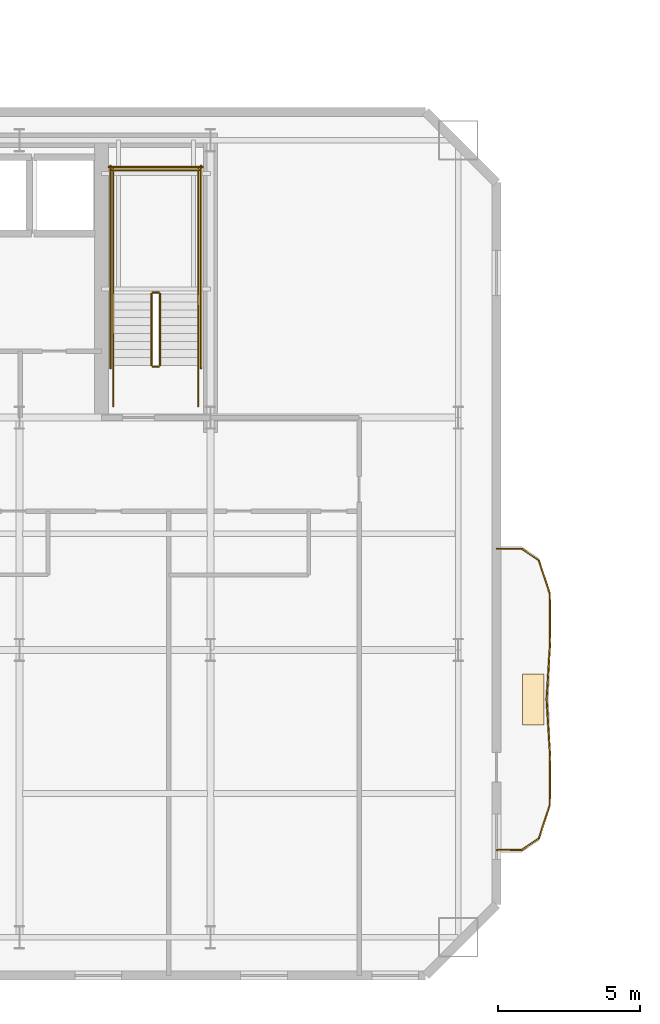
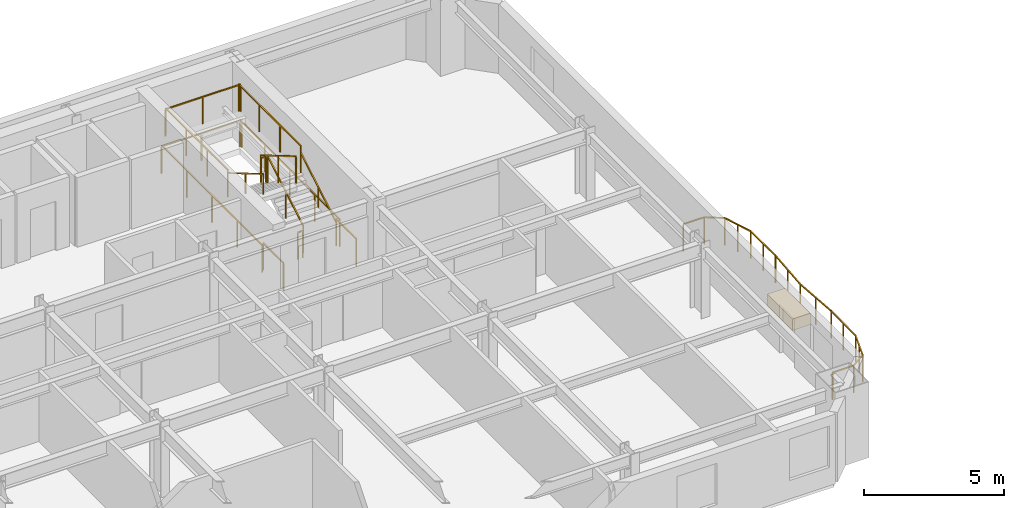
# One storey, part 11 of 13: 24 railings, 1 covering.
"""IFC4 building model written with IfcOpenShell, lengths in metres."""

from ifc_helpers import new_model, si_unit, direction, frame, origin, origin_2d, place, context, subcontext, project, spatial, rectangle, extrude, material, layer, layer_set, type_object, element, save


model = new_model("IFC4")

# Units and contexts
model_context = context("Model", 3, precision=1e-05, world=origin(), true_north=direction((0.0, 1.0)))
body_context = subcontext(model_context, "Body", "Model", "MODEL_VIEW")
ifc_project = project(units=[si_unit("LENGTHUNIT", "METRE"), si_unit("AREAUNIT", "SQUARE_METRE"), si_unit("VOLUMEUNIT", "CUBIC_METRE"), si_unit("PLANEANGLEUNIT", "RADIAN"), si_unit("MASSUNIT", "GRAM", prefix="KILO")], contexts=[model_context])

# Site, building, storey
site_placement = place(None, origin())
site = spatial("IfcSite", under=ifc_project, at=site_placement, CompositionType="ELEMENT")
building_placement = place(site_placement, origin())
building = spatial("IfcBuilding", under=site, at=building_placement, Name="Haevon Station Towers", CompositionType="ELEMENT")
storey_placement = place(building_placement, frame((0.0, 0.0, 99.89990234375)))
storey = spatial("IfcBuildingStorey", under=building, at=storey_placement, Name="L26", CompositionType="ELEMENT", Elevation=99.89990234375)

# Railings
ifc_material_1 = material(Name="Steel S355", Category="steel")
railing_type_1 = type_object("IfcRailingType", Name="GRD-EXT1200", PredefinedType="GUARDRAIL", material=ifc_material_1)
railing_1_placement = place(storey_placement, frame((61.12353515625, 22.927734375, 0.0)))
element("IfcRailing", 1, at=railing_1_placement, inside=storey, type_object=railing_type_1, Name="L26 Perimeter Guardrail 1", PredefinedType="GUARDRAIL", context=body_context, shape_type="SweptSolid", body=[
    extrude(rectangle(XDim=0.048095703125, YDim=0.048095703125, at=origin_2d()), frame((0.0, 0.0, 1.17578125), z_axis=(0.99999747791, 0.002245923589, 0.0), x_axis=(-0.002245923589, 0.99999747791, 0.0)), (0.0, 0.0, 1.0), 0.86962890625),
    extrude(rectangle(XDim=0.0419921875, YDim=0.0419921875, at=origin_2d()), origin(), (0.0, 0.0, 1.0), 1.15185546875),
    extrude(rectangle(XDim=0.0419921875, YDim=0.0419921875, at=origin_2d()), frame((0.86962890625, 0.001953125, 0.0)), (0.0, 0.0, 1.0), 1.15185546875),
])
railing_2_placement = place(storey_placement, frame((61.9931640625, 22.9296875, 0.0)))
element("IfcRailing", 2, at=railing_2_placement, inside=storey, type_object=railing_type_1, Name="L26 Perimeter Guardrail 2", PredefinedType="GUARDRAIL", context=body_context, shape_type="SweptSolid", body=[
    extrude(rectangle(XDim=0.048095703125, YDim=0.048095703125, at=origin_2d()), frame((0.0, 0.0, 1.17578125), z_axis=(0.827878799477, 0.56090702739, 0.0), x_axis=(-0.56090702739, 0.827878799477, 0.0)), (0.0, 0.0, 1.0), 0.7333984375),
    extrude(rectangle(XDim=0.0419921875, YDim=0.0419921875, at=origin_2d()), origin(), (0.0, 0.0, 1.0), 1.15185546875),
    extrude(rectangle(XDim=0.0419921875, YDim=0.0419921875, at=origin_2d()), frame((0.607177734375, 0.411376953125, 0.0)), (0.0, 0.0, 1.0), 1.15185546875),
])
railing_3_placement = place(storey_placement, frame((62.600341796875, 23.341064453125, 0.0)))
element("IfcRailing", 3, at=railing_3_placement, inside=storey, type_object=railing_type_1, Name="L26 Perimeter Guardrail 3", PredefinedType="GUARDRAIL", context=body_context, shape_type="SweptSolid", body=[
    extrude(rectangle(XDim=0.048095703125, YDim=0.048095703125, at=origin_2d()), frame((0.0, 0.0, 1.17578125), z_axis=(0.312299013333, 0.949983855795, 0.0), x_axis=(-0.949983855795, 0.312299013333, 0.0)), (0.0, 0.0, 1.0), 1.231201171875),
    extrude(rectangle(XDim=0.0419921875, YDim=0.0419921875, at=origin_2d()), origin(), (0.0, 0.0, 1.0), 1.15185546875),
    extrude(rectangle(XDim=0.0419921875, YDim=0.0419921875, at=origin_2d()), frame((0.1923828125, 0.5849609375, 0.0)), (0.0, 0.0, 1.0), 1.15185546875),
    extrude(rectangle(XDim=0.0419921875, YDim=0.0419921875, at=origin_2d()), frame((0.384521484375, 1.169677734375, 0.0)), (0.0, 0.0, 1.0), 1.15185546875),
])
railing_4_placement = place(storey_placement, frame((62.98486328125, 24.5107421875, 0.0)))
element("IfcRailing", 4, at=railing_4_placement, inside=storey, type_object=railing_type_1, Name="L26 Perimeter Guardrail 4", PredefinedType="GUARDRAIL", context=body_context, shape_type="SweptSolid", body=[
    extrude(rectangle(XDim=0.048095703125, YDim=0.048095703125, at=origin_2d()), frame((0.0, 0.0, 1.17578125), z_axis=(0.006559523914, 0.999978486092, 0.0), x_axis=(-0.999978486092, 0.006559523914, 0.0)), (0.0, 0.0, 1.0), 1.749267578125),
    extrude(rectangle(XDim=0.0419921875, YDim=0.0419921875, at=origin_2d()), origin(), (0.0, 0.0, 1.0), 1.15185546875),
    extrude(rectangle(XDim=0.0419921875, YDim=0.0419921875, at=origin_2d()), frame((0.005859375, 0.87451171875, 0.0)), (0.0, 0.0, 1.0), 1.15185546875),
    extrude(rectangle(XDim=0.0419921875, YDim=0.0419921875, at=origin_2d()), frame((0.011474609375, 1.749267578125, 0.0)), (0.0, 0.0, 1.0), 1.15185546875),
])
railing_5_placement = place(storey_placement, frame((62.996337890625, 26.260009765625, 0.0)))
element("IfcRailing", 5, at=railing_5_placement, inside=storey, type_object=railing_type_1, Name="L26 Perimeter Guardrail 5", PredefinedType="GUARDRAIL", context=body_context, shape_type="SweptSolid", body=[
    extrude(rectangle(XDim=0.048095703125, YDim=0.048095703125, at=origin_2d()), frame((0.0, 0.0, 1.17578125), z_axis=(-0.06269082246, 0.998032995837, 0.0), x_axis=(-0.998032995837, -0.06269082246, 0.0)), (0.0, 0.0, 1.0), 1.993896484375),
    extrude(rectangle(XDim=0.0419921875, YDim=0.0419921875, at=origin_2d()), origin(), (0.0, 0.0, 1.0), 1.15185546875),
    extrude(rectangle(XDim=0.0419921875, YDim=0.0419921875, at=origin_2d()), frame((-0.0625, 0.9951171875, 0.0)), (0.0, 0.0, 1.0), 1.15185546875),
    extrude(rectangle(XDim=0.0419921875, YDim=0.0419921875, at=origin_2d()), frame((-0.125, 1.989990234375, 0.0)), (0.0, 0.0, 1.0), 1.15185546875),
])
railing_6_placement = place(storey_placement, frame((62.871337890625, 28.25, 0.0)))
element("IfcRailing", 6, at=railing_6_placement, inside=storey, type_object=railing_type_1, Name="L26 Perimeter Guardrail 6", PredefinedType="GUARDRAIL", context=body_context, shape_type="SweptSolid", body=[
    extrude(rectangle(XDim=0.048095703125, YDim=0.048095703125, at=origin_2d()), frame((0.0, 0.0, 1.17578125), z_axis=(0.06269082246, 0.998032995837, 0.0), x_axis=(-0.998032995837, 0.06269082246, 0.0)), (0.0, 0.0, 1.0), 1.993896484375),
    extrude(rectangle(XDim=0.0419921875, YDim=0.0419921875, at=origin_2d()), origin(), (0.0, 0.0, 1.0), 1.15185546875),
    extrude(rectangle(XDim=0.0419921875, YDim=0.0419921875, at=origin_2d()), frame((0.0625, 0.9951171875, 0.0)), (0.0, 0.0, 1.0), 1.15185546875),
    extrude(rectangle(XDim=0.0419921875, YDim=0.0419921875, at=origin_2d()), frame((0.125, 1.989990234375, 0.0)), (0.0, 0.0, 1.0), 1.15185546875),
])
railing_7_placement = place(storey_placement, frame((62.996337890625, 30.239990234375, 0.0)))
element("IfcRailing", 7, at=railing_7_placement, inside=storey, type_object=railing_type_1, Name="L26 Perimeter Guardrail 7", PredefinedType="GUARDRAIL", context=body_context, shape_type="SweptSolid", body=[
    extrude(rectangle(XDim=0.048095703125, YDim=0.048095703125, at=origin_2d()), frame((0.0, 0.0, 1.17578125), z_axis=(-0.006559523914, 0.999978486092, 0.0), x_axis=(-0.999978486092, -0.006559523914, 0.0)), (0.0, 0.0, 1.0), 1.749267578125),
    extrude(rectangle(XDim=0.0419921875, YDim=0.0419921875, at=origin_2d()), origin(), (0.0, 0.0, 1.0), 1.15185546875),
    extrude(rectangle(XDim=0.0419921875, YDim=0.0419921875, at=origin_2d()), frame((-0.005859375, 0.87451171875, 0.0)), (0.0, 0.0, 1.0), 1.15185546875),
    extrude(rectangle(XDim=0.0419921875, YDim=0.0419921875, at=origin_2d()), frame((-0.011474609375, 1.749267578125, 0.0)), (0.0, 0.0, 1.0), 1.15185546875),
])
railing_8_placement = place(storey_placement, frame((62.98486328125, 31.9892578125, 0.0)))
element("IfcRailing", 8, at=railing_8_placement, inside=storey, type_object=railing_type_1, Name="L26 Perimeter Guardrail 8", PredefinedType="GUARDRAIL", context=body_context, shape_type="SweptSolid", body=[
    extrude(rectangle(XDim=0.048095703125, YDim=0.048095703125, at=origin_2d()), frame((0.0, 0.0, 1.17578125), z_axis=(-0.312299013333, 0.949983855795, 0.0), x_axis=(-0.949983855795, -0.312299013333, 0.0)), (0.0, 0.0, 1.0), 1.231201171875),
    extrude(rectangle(XDim=0.0419921875, YDim=0.0419921875, at=origin_2d()), origin(), (0.0, 0.0, 1.0), 1.15185546875),
    extrude(rectangle(XDim=0.0419921875, YDim=0.0419921875, at=origin_2d()), frame((-0.1923828125, 0.5849609375, 0.0)), (0.0, 0.0, 1.0), 1.15185546875),
    extrude(rectangle(XDim=0.0419921875, YDim=0.0419921875, at=origin_2d()), frame((-0.384521484375, 1.169677734375, 0.0)), (0.0, 0.0, 1.0), 1.15185546875),
])
railing_9_placement = place(storey_placement, frame((62.600341796875, 33.158935546875, 0.0)))
element("IfcRailing", 9, at=railing_9_placement, inside=storey, type_object=railing_type_1, Name="L26 Perimeter Guardrail 9", PredefinedType="GUARDRAIL", context=body_context, shape_type="SweptSolid", body=[
    extrude(rectangle(XDim=0.048095703125, YDim=0.048095703125, at=origin_2d()), frame((0.0, 0.0, 1.17578125), z_axis=(-0.827878799477, 0.56090702739, 0.0), x_axis=(-0.56090702739, -0.827878799477, 0.0)), (0.0, 0.0, 1.0), 0.7333984375),
    extrude(rectangle(XDim=0.0419921875, YDim=0.0419921875, at=origin_2d()), origin(), (0.0, 0.0, 1.0), 1.15185546875),
    extrude(rectangle(XDim=0.0419921875, YDim=0.0419921875, at=origin_2d()), frame((-0.607177734375, 0.411376953125, 0.0)), (0.0, 0.0, 1.0), 1.15185546875),
])
railing_10_placement = place(storey_placement, frame((61.9931640625, 33.5703125, 0.0)))
element("IfcRailing", 10, at=railing_10_placement, inside=storey, type_object=railing_type_1, Name="L26 Perimeter Guardrail 10", PredefinedType="GUARDRAIL", context=body_context, shape_type="SweptSolid", body=[
    extrude(rectangle(XDim=0.048095703125, YDim=0.048095703125, at=origin_2d()), frame((0.0, 0.0, 1.17578125), z_axis=(-0.99999747791, 0.002245923589, 0.0), x_axis=(-0.002245923589, -0.99999747791, 0.0)), (0.0, 0.0, 1.0), 0.86962890625),
    extrude(rectangle(XDim=0.0419921875, YDim=0.0419921875, at=origin_2d()), origin(), (0.0, 0.0, 1.0), 1.15185546875),
    extrude(rectangle(XDim=0.0419921875, YDim=0.0419921875, at=origin_2d()), frame((-0.86962890625, 0.001953125, 0.0)), (0.0, 0.0, 1.0), 1.15185546875),
])
railing_type_2 = type_object("IfcRailingType", Name="GRD-STR1200", PredefinedType="GUARDRAIL", material=ifc_material_1)
railing_11_placement = place(storey_placement, frame((49.219970703125, 40.050048828125, 0.1650390625)))
element("IfcRailing", 11, at=railing_11_placement, inside=storey, type_object=railing_type_2, Name="L26 ST2 Stair Guard 1", PredefinedType="GUARDRAIL", context=body_context, shape_type="SweptSolid", body=[
    extrude(rectangle(XDim=0.048095703125, YDim=0.048095703125, at=origin_2d()), frame((0.0, 0.0, 1.17578125), z_axis=(0.0, 0.86152411907, 0.507716645641), x_axis=(-1.0, 0.0, 0.0)), (0.0, 0.0, 1.0), 2.925048828125),
    extrude(rectangle(XDim=0.0419921875, YDim=0.0419921875, at=origin_2d()), origin(), (0.0, 0.0, 1.0), 1.15185546875),
    extrude(rectangle(XDim=0.0419921875, YDim=0.0419921875, at=origin_2d()), frame((0.0, 1.260009765625, 0.74267578125)), (0.0, 0.0, 1.0), 1.15185546875),
    extrude(rectangle(XDim=0.0419921875, YDim=0.0419921875, at=origin_2d()), frame((0.0, 2.52001953125, 1.485107421875)), (0.0, 0.0, 1.0), 1.15185546875),
])
railing_12_placement = place(storey_placement, frame((49.169921875, 42.6201171875, 1.650146484375)))
element("IfcRailing", 12, at=railing_12_placement, inside=storey, type_object=railing_type_2, Name="L26 ST2 Stair Guard 2", PredefinedType="GUARDRAIL", context=body_context, shape_type="SweptSolid", body=[
    extrude(rectangle(XDim=0.048095703125, YDim=0.048095703125, at=origin_2d()), frame((0.0, 0.0, 1.17578125), z_axis=(-1.0, 0.0, 0.0), x_axis=(0.0, -1.0, 0.0)), (0.0, 0.0, 1.0), 0.199951171875),
    extrude(rectangle(XDim=0.0419921875, YDim=0.0419921875, at=origin_2d()), origin(), (0.0, 0.0, 1.0), 1.15185546875),
    extrude(rectangle(XDim=0.0419921875, YDim=0.0419921875, at=origin_2d()), frame((-0.199951171875, 0.0, 0.0)), (0.0, 0.0, 1.0), 1.15185546875),
])
for number, where, name in (
    (13, (50.570068359375, 42.570068359375, 1.650146484375), "L26 ST2 Stair Guard 3"),
    (14, (47.570068359375, 42.570068359375, 1.650146484375), "L26 ST2 Stair Guard 4"),
):
    element("IfcRailing", number, at=place(storey_placement, frame(where)), inside=storey, type_object=railing_type_2, Name=name, PredefinedType="GUARDRAIL", context=body_context, shape_type="SweptSolid", body=[
        extrude(rectangle(XDim=0.048095703125, YDim=0.048095703125, at=origin_2d()), frame((0.0, 0.0, 1.17578125), z_axis=(0.0, 1.0, 0.0), x_axis=(-1.0, 0.0, 0.0)), (0.0, 0.0, 1.0), 4.429931640625),
        extrude(rectangle(XDim=0.0419921875, YDim=0.0419921875, at=origin_2d()), origin(), (0.0, 0.0, 1.0), 1.15185546875),
        extrude(rectangle(XDim=0.0419921875, YDim=0.0419921875, at=origin_2d()), frame((0.0, 1.4765625, 0.0)), (0.0, 0.0, 1.0), 1.15185546875),
        extrude(rectangle(XDim=0.0419921875, YDim=0.0419921875, at=origin_2d()), frame((0.0, 2.953369140625, 0.0)), (0.0, 0.0, 1.0), 1.15185546875),
        extrude(rectangle(XDim=0.0419921875, YDim=0.0419921875, at=origin_2d()), frame((0.0, 4.429931640625, 0.0)), (0.0, 0.0, 1.0), 1.15185546875),
    ])
railing_13_placement = place(storey_placement, frame((50.6201171875, 46.949951171875, 1.650146484375)))
element("IfcRailing", 15, at=railing_13_placement, inside=storey, type_object=railing_type_2, Name="L26 ST2 Stair Guard 5", PredefinedType="GUARDRAIL", context=body_context, shape_type="SweptSolid", body=[
    extrude(rectangle(XDim=0.048095703125, YDim=0.048095703125, at=origin_2d()), frame((0.0, 0.0, 1.17578125), z_axis=(-1.0, 0.0, 0.0), x_axis=(0.0, -1.0, 0.0)), (0.0, 0.0, 1.0), 3.10009765625),
    extrude(rectangle(XDim=0.0419921875, YDim=0.0419921875, at=origin_2d()), origin(), (0.0, 0.0, 1.0), 1.15185546875),
    extrude(rectangle(XDim=0.0419921875, YDim=0.0419921875, at=origin_2d()), frame((-1.550048828125, 0.0, 0.0)), (0.0, 0.0, 1.0), 1.15185546875),
    extrude(rectangle(XDim=0.0419921875, YDim=0.0419921875, at=origin_2d()), frame((-3.10009765625, 0.0, 0.0)), (0.0, 0.0, 1.0), 1.15185546875),
])
railing_14_placement = place(storey_placement, frame((48.919921875, 42.570068359375, 1.815185546875)))
element("IfcRailing", 16, at=railing_14_placement, inside=storey, type_object=railing_type_2, Name="L26 ST2 Stair Guard 6", PredefinedType="GUARDRAIL", context=body_context, shape_type="SweptSolid", body=[
    extrude(rectangle(XDim=0.048095703125, YDim=0.048095703125, at=origin_2d()), frame((0.0, 0.0, 1.17578125), z_axis=(0.0, -0.861560626758, 0.507654692109), x_axis=(1.0, 0.0, 0.0)), (0.0, 0.0, 1.0), 2.925048828125),
    extrude(rectangle(XDim=0.0419921875, YDim=0.0419921875, at=origin_2d()), origin(), (0.0, 0.0, 1.0), 1.15185546875),
    extrude(rectangle(XDim=0.0419921875, YDim=0.0419921875, at=origin_2d()), frame((0.0, -1.260009765625, 0.742431640625)), (0.0, 0.0, 1.0), 1.15185546875),
    extrude(rectangle(XDim=0.0419921875, YDim=0.0419921875, at=origin_2d()), frame((0.0, -2.52001953125, 1.48486328125)), (0.0, 0.0, 1.0), 1.15185546875),
])
railing_15_placement = place(storey_placement, frame((49.169921875, 40.0, 0.0)))
element("IfcRailing", 17, at=railing_15_placement, inside=storey, type_object=railing_type_2, Name="L26 ST2 Stair Guard 7", PredefinedType="GUARDRAIL", context=body_context, shape_type="SweptSolid", body=[
    extrude(rectangle(XDim=0.048095703125, YDim=0.048095703125, at=origin_2d()), frame((0.0, 0.0, 1.17578125), z_axis=(-1.0, 0.0, 0.0), x_axis=(0.0, -1.0, 0.0)), (0.0, 0.0, 1.0), 0.199951171875),
    extrude(rectangle(XDim=0.0419921875, YDim=0.0419921875, at=origin_2d()), origin(), (0.0, 0.0, 1.0), 1.15185546875),
    extrude(rectangle(XDim=0.0419921875, YDim=0.0419921875, at=origin_2d()), frame((-0.199951171875, 0.0, 0.0)), (0.0, 0.0, 1.0), 1.15185546875),
])
for number, where, name in (
    (18, (50.570068359375, 38.60009765625, 0.0), "L26 ST2 Stair Guard 8"),
    (19, (47.570068359375, 38.60009765625, 0.0), "L26 ST2 Stair Guard 9"),
):
    element("IfcRailing", number, at=place(storey_placement, frame(where)), inside=storey, type_object=railing_type_2, Name=name, PredefinedType="GUARDRAIL", context=body_context, shape_type="SweptSolid", body=[
        extrude(rectangle(XDim=0.048095703125, YDim=0.048095703125, at=origin_2d()), frame((0.0, 0.0, 1.17578125), z_axis=(0.0, 1.0, 0.0), x_axis=(-1.0, 0.0, 0.0)), (0.0, 0.0, 1.0), 1.449951171875),
        extrude(rectangle(XDim=0.0419921875, YDim=0.0419921875, at=origin_2d()), origin(), (0.0, 0.0, 1.0), 1.15185546875),
        extrude(rectangle(XDim=0.0419921875, YDim=0.0419921875, at=origin_2d()), frame((0.0, 1.449951171875, 0.0)), (0.0, 0.0, 1.0), 1.15185546875),
    ])
for number, where, name in (
    (20, (50.669921875, 39.949951171875, 0.0), "L26 ST2 Stair Guard 10"),
    (21, (47.469970703125, 39.949951171875, 0.0), "L26 ST2 Stair Guard 11"),
):
    element("IfcRailing", number, at=place(storey_placement, frame(where)), inside=storey, type_object=railing_type_2, Name=name, PredefinedType="GUARDRAIL", context=body_context, shape_type="SweptSolid", body=[
        extrude(rectangle(XDim=0.048095703125, YDim=0.048095703125, at=origin_2d()), frame((0.0, 0.0, 1.17578125), z_axis=(0.0, 1.0, 0.0), x_axis=(-1.0, 0.0, 0.0)), (0.0, 0.0, 1.0), 7.150146484375),
        extrude(rectangle(XDim=0.0419921875, YDim=0.0419921875, at=origin_2d()), origin(), (0.0, 0.0, 1.0), 1.15185546875),
        extrude(rectangle(XDim=0.0419921875, YDim=0.0419921875, at=origin_2d()), frame((0.0, 1.78759765625, 0.0)), (0.0, 0.0, 1.0), 1.15185546875),
        extrude(rectangle(XDim=0.0419921875, YDim=0.0419921875, at=origin_2d()), frame((0.0, 3.5751953125, 0.0)), (0.0, 0.0, 1.0), 1.15185546875),
        extrude(rectangle(XDim=0.0419921875, YDim=0.0419921875, at=origin_2d()), frame((0.0, 5.362548828125, 0.0)), (0.0, 0.0, 1.0), 1.15185546875),
        extrude(rectangle(XDim=0.0419921875, YDim=0.0419921875, at=origin_2d()), frame((0.0, 7.150146484375, 0.0)), (0.0, 0.0, 1.0), 1.15185546875),
    ])
railing_16_placement = place(storey_placement, frame((50.719970703125, 47.050048828125, 0.0)))
element("IfcRailing", 22, at=railing_16_placement, inside=storey, type_object=railing_type_2, Name="L26 ST2 Stair Guard 12", PredefinedType="GUARDRAIL", context=body_context, shape_type="SweptSolid", body=[
    extrude(rectangle(XDim=0.048095703125, YDim=0.048095703125, at=origin_2d()), frame((0.0, 0.0, 1.17578125), z_axis=(-1.0, 0.0, 0.0), x_axis=(0.0, -1.0, 0.0)), (0.0, 0.0, 1.0), 3.300048828125),
    extrude(rectangle(XDim=0.0419921875, YDim=0.0419921875, at=origin_2d()), origin(), (0.0, 0.0, 1.0), 1.15185546875),
    extrude(rectangle(XDim=0.0419921875, YDim=0.0419921875, at=origin_2d()), frame((-1.64990234375, 0.0, 0.0)), (0.0, 0.0, 1.0), 1.15185546875),
    extrude(rectangle(XDim=0.0419921875, YDim=0.0419921875, at=origin_2d()), frame((-3.300048828125, 0.0, 0.0)), (0.0, 0.0, 1.0), 1.15185546875),
])
railing_type_3 = type_object("IfcRailingType", Name="HND-STR900", PredefinedType="HANDRAIL", material=ifc_material_1)
railing_17_placement = place(storey_placement, frame((50.570068359375, 40.050048828125, 0.1650390625)))
element("IfcRailing", 23, at=railing_17_placement, inside=storey, type_object=railing_type_3, Name="L26 ST2 Stair Handrail 1", PredefinedType="HANDRAIL", context=body_context, shape_type="SweptSolid", body=[
    extrude(rectangle(XDim=0.048095703125, YDim=0.048095703125, at=origin_2d()), frame((0.0, 0.0, 0.8759765625), z_axis=(0.0, 0.86152411907, 0.507716645641), x_axis=(-1.0, 0.0, 0.0)), (0.0, 0.0, 1.0), 2.925048828125),
    extrude(rectangle(XDim=0.0419921875, YDim=0.0419921875, at=origin_2d()), origin(), (0.0, 0.0, 1.0), 0.851806640625),
    extrude(rectangle(XDim=0.0419921875, YDim=0.0419921875, at=origin_2d()), frame((0.0, 1.260009765625, 0.74267578125)), (0.0, 0.0, 1.0), 0.851806640625),
    extrude(rectangle(XDim=0.0419921875, YDim=0.0419921875, at=origin_2d()), frame((0.0, 2.52001953125, 1.485107421875)), (0.0, 0.0, 1.0), 0.851806640625),
])
railing_18_placement = place(storey_placement, frame((47.570068359375, 42.570068359375, 1.815185546875)))
element("IfcRailing", 24, at=railing_18_placement, inside=storey, type_object=railing_type_3, Name="L26 ST2 Stair Handrail 2", PredefinedType="HANDRAIL", context=body_context, shape_type="SweptSolid", body=[
    extrude(rectangle(XDim=0.048095703125, YDim=0.048095703125, at=origin_2d()), frame((0.0, 0.0, 0.8759765625), z_axis=(0.0, -0.861560626758, 0.507654692109), x_axis=(1.0, 0.0, 0.0)), (0.0, 0.0, 1.0), 2.925048828125),
    extrude(rectangle(XDim=0.0419921875, YDim=0.0419921875, at=origin_2d()), origin(), (0.0, 0.0, 1.0), 0.851806640625),
    extrude(rectangle(XDim=0.0419921875, YDim=0.0419921875, at=origin_2d()), frame((0.0, -1.260009765625, 0.742431640625)), (0.0, 0.0, 1.0), 0.851806640625),
    extrude(rectangle(XDim=0.0419921875, YDim=0.0419921875, at=origin_2d()), frame((0.0, -2.52001953125, 1.48486328125)), (0.0, 0.0, 1.0), 0.851806640625),
])

# Covering
ifc_material_2 = material(Name="Architectural planter GRC", Category="concrete")
ifc_layer = layer(ifc_material_2, 0.550048828125)
ifc_layer_set = layer_set([ifc_layer], Name="Architectural planter GRC")
covering_type = type_object("IfcCoveringType", Name="PLN-GRC550", PredefinedType="MOLDING", material=ifc_layer_set)
covering_placement = place(storey_placement, frame((62.397705078125, 28.25, 0.0), z_axis=(0.0, 0.0, 1.0), x_axis=(1.0, 0.0, 0.0)))
element("IfcCovering", 25, at=covering_placement, inside=storey, type_object=covering_type, Name="Tower 1 L26 Scalloped Balcony PLANTER", PredefinedType="MOLDING", context=body_context, shape_type="SweptSolid", body=[
    extrude(rectangle(XDim=0.75, YDim=1.800048828125, at=origin_2d()), origin(), (0.0, 0.0, 1.0), 0.5),
])

save(model, "model.ifc")
